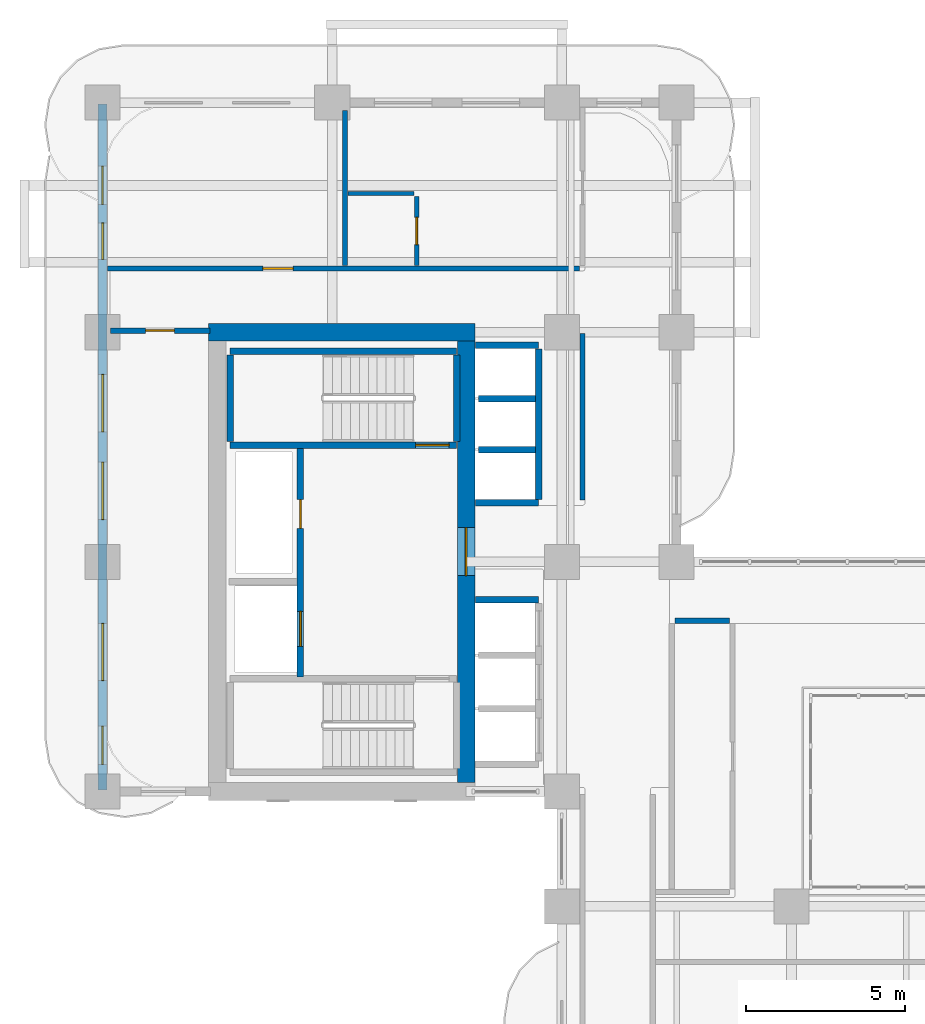
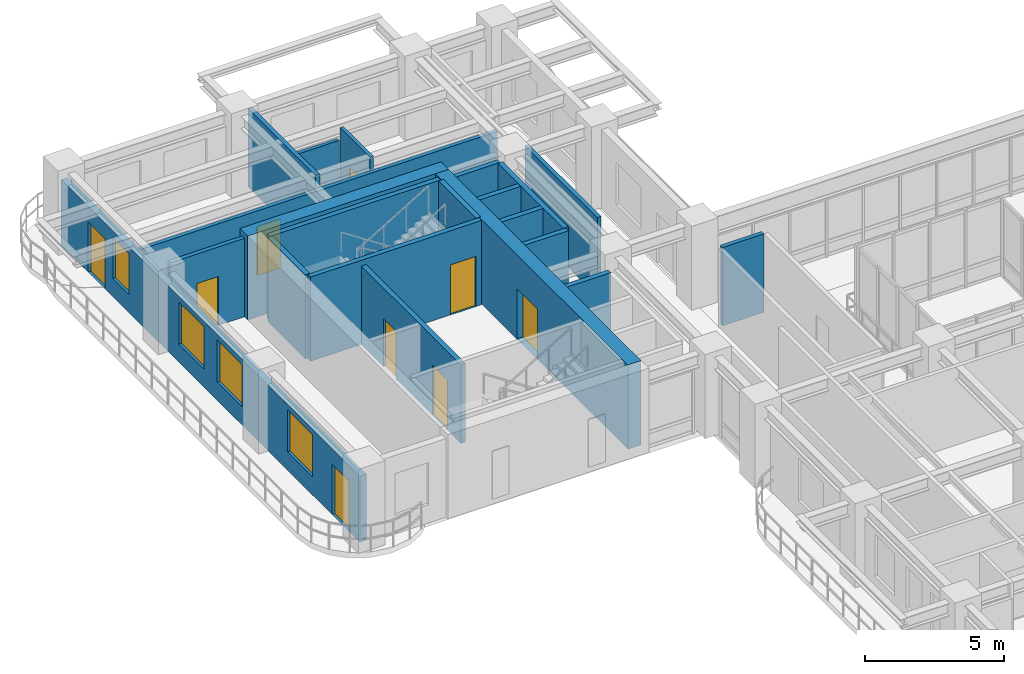
# One storey, part 16 of 22: 21 walls, 9 doors, 4 windows, 13 openings.
"""IFC4 building model written with IfcOpenShell, lengths in metres."""

from ifc_helpers import new_model, si_unit, derived_unit, direction, frame, frame_2d, origin, place, context, subcontext, project, spatial, rectangle, extrude, source, transform, mapped, material, layer, layer_set, type_object, type_shapes, element, fill, save


model = new_model("IFC4")

# Units and contexts
model_context = context("Model", 3, precision=1e-05, world=origin(), true_north=direction((0.0, 1.0)))
body_context = subcontext(model_context, "Body", "Model", "MODEL_VIEW")
ifc_project = project(units=[si_unit("LENGTHUNIT", "METRE"), si_unit("AREAUNIT", "SQUARE_METRE"), si_unit("VOLUMEUNIT", "CUBIC_METRE"), si_unit("PLANEANGLEUNIT", "RADIAN"), si_unit("MASSUNIT", "GRAM", prefix="KILO"), si_unit("THERMODYNAMICTEMPERATUREUNIT", "KELVIN"), si_unit("POWERUNIT", "WATT"), derived_unit("THERMALTRANSMITTANCEUNIT", [(si_unit("POWERUNIT", "WATT"), 1), (si_unit("AREAUNIT", "SQUARE_METRE"), -1), (si_unit("THERMODYNAMICTEMPERATUREUNIT", "KELVIN"), -1)])], contexts=[model_context])

# Site, building, storey
site_placement = place(None, origin())
site = spatial("IfcSite", under=ifc_project, at=site_placement, CompositionType="ELEMENT")
building_placement = place(site_placement, origin())
building = spatial("IfcBuilding", under=site, at=building_placement, Name="Zahravan Archway Hotel and Residences", CompositionType="ELEMENT")
storey_placement = place(building_placement, frame((0.0, 0.0, 73.10009765625)))
storey = spatial("IfcBuildingStorey", under=building, at=storey_placement, Name="L17", CompositionType="ELEMENT", Elevation=73.10009765625)

# Wall
ifc_material_1 = material(Name="Concrete C70/85", Category="concrete")
ifc_layer_1 = layer(ifc_material_1, 0.550048828125, Name="Concrete C70/85", Category="concrete")
ifc_layer_set_1 = layer_set([ifc_layer_1], Name="Concrete C70/85")
wall_type_1 = type_object("IfcWallType", Name="CW-CORE-550", PredefinedType="SHEAR", material=ifc_layer_set_1)
wall_1_placement = place(storey_placement, frame((3.324951171875, 39.60009765625, 0.0), z_axis=(0.0, 0.0, 1.0), x_axis=(1.0, 0.0, 0.0)))
element("IfcWall", 1, at=wall_1_placement, inside=storey, type_object=wall_type_1, Name="L17 Core B Shear N Wall 550 mm", PredefinedType="SHEAR", context=body_context, shape_type="SweptSolid", body=[
    extrude(rectangle(XDim=8.35009765625, YDim=0.550048828125, at=frame_2d((4.175048828125, 0.0))), origin(), (0.0, 0.0, 1.0), 3.699951171875),
])

# Wall, opening, door
wall_2_placement = place(storey_placement, frame((11.39990234375, 25.47509765625, 0.0), z_axis=(0.0, 0.0, 1.0), x_axis=(0.0, 1.0, 0.0)))
wall_2 = element("IfcWall", 2, at=wall_2_placement, inside=storey, type_object=wall_type_1, Name="L17 Core B Shear E Wall 550 mm", PredefinedType="SHEAR", context=body_context, shape_type="SweptSolid", body=[
    extrude(rectangle(XDim=13.849853515625, YDim=0.550048828125, at=frame_2d((6.9248046875, 0.0))), origin(), (0.0, 0.0, 1.0), 3.699951171875),
])
opening_1_placement = place(wall_2_placement, frame((6.4951171875, 0.0, 0.0)))
opening_1 = element("IfcOpeningElement", 3, at=opening_1_placement, cuts=wall_2, Name="Opening FD-L1", PredefinedType="OPENING", context=body_context, shape_type="SweptSolid", body=[
    extrude(rectangle(XDim=1.5, YDim=2.199951171875, at=frame_2d((0.75, 1.10009765625))), frame((0.0, 0.28515625, 0.0), z_axis=(0.0, -1.0, 0.0), x_axis=(1.0, 0.0, 0.0)), (0.0, 0.0, 1.0), 0.570068359375),
])
ifc_material_2 = material(Name="Fire-Rated Painted Steel", Category="steel")
door_type_1 = type_object("IfcDoorType", Name="FD-LOBBY-1500", OperationType="DOUBLE_DOOR_SINGLE_SWING", PredefinedType="DOOR", material=ifc_material_2)
shared_shape_1 = source(origin(), body_context, "Body", "SweptSolid", [
    extrude(rectangle(XDim=1.5, YDim=2.199951171875, at=frame_2d((0.75, 1.10009765625))), frame((0.0, 0.02490234375, 0.0), z_axis=(0.0, -1.0, 0.0), x_axis=(1.0, 0.0, 0.0)), (0.0, 0.0, 1.0), 0.050048828125),
])
type_shapes(door_type_1, [shared_shape_1])
door_1_placement = place(opening_1_placement, origin())
door_1 = element("IfcDoor", 4, at=door_1_placement, inside=storey, type_object=door_type_1, Name="L17 Core B FSAE Lobby Door", OperationType="DOUBLE_DOOR_SINGLE_SWING", OverallHeight=2.199951171875, OverallWidth=1.5, PredefinedType="DOOR", context=body_context, shape_type="MappedRepresentation", body=[
    mapped(shared_shape_1, transform((0.0, 0.0, 0.0), scale=1.0)),
])
fill(opening_1, door_1)

# Wall, openings, doors, windows
ifc_material_3 = material(Name="Honed Red-Ochre Sandstone & Insulated Block", Category="masonry")
ifc_layer_2 = layer(ifc_material_3, 0.280029296875, Name="Honed Red-Ochre Sandstone & Insulated Block", Category="masonry")
ifc_layer_set_2 = layer_set([ifc_layer_2], Name="Honed Red-Ochre Sandstone & Insulated Block")
wall_type_2 = type_object("IfcWallType", Name="EW-LOG-280", PredefinedType="SOLIDWALL", material=ifc_layer_set_2)
wall_3_placement = place(storey_placement, frame((0.0, 25.25, 0.0), z_axis=(0.0, 0.0, 1.0), x_axis=(0.0, 1.0, 0.0)))
wall_3 = element("IfcWall", 5, at=wall_3_placement, inside=storey, type_object=wall_type_2, Name="L17 Exterior Sandstone Wall WB-W", PredefinedType="SOLIDWALL", context=body_context, shape_type="SweptSolid", body=[
    extrude(rectangle(XDim=21.5, YDim=0.280029296875, at=frame_2d((10.75, 0.0))), origin(), (0.0, 0.0, 1.0), 2.885009765625),
])
opening_2_placement = place(wall_3_placement, frame((18.35693359375, 0.0, 0.0)))
opening_2 = element("IfcOpeningElement", 6, at=opening_2_placement, cuts=wall_3, Name="Opening ED-BL1", PredefinedType="OPENING", context=body_context, shape_type="SweptSolid", body=[
    extrude(rectangle(XDim=1.199951171875, YDim=2.199951171875, at=frame_2d((0.60009765625, 1.10009765625))), frame((0.0, 0.14990234375, 0.0), z_axis=(0.0, -1.0, 0.0), x_axis=(1.0, 0.0, 0.0)), (0.0, 0.0, 1.0), 0.300048828125),
])
opening_3_placement = place(wall_3_placement, frame((0.800048828125, 0.0, 0.0)))
opening_3 = element("IfcOpeningElement", 7, at=opening_3_placement, cuts=wall_3, Name="Opening ED-BL1", PredefinedType="OPENING", context=body_context, shape_type="SweptSolid", body=[
    extrude(rectangle(XDim=1.199951171875, YDim=2.199951171875, at=frame_2d((0.60009765625, 1.10009765625))), frame((0.0, 0.14990234375, 0.0), z_axis=(0.0, -1.0, 0.0), x_axis=(1.0, 0.0, 0.0)), (0.0, 0.0, 1.0), 0.300048828125),
])
opening_4_placement = place(wall_3_placement, frame((3.425048828125, 0.0, 0.800048828125)))
opening_4 = element("IfcOpeningElement", 8, at=opening_4_placement, cuts=wall_3, Name="Opening W-02", PredefinedType="OPENING", context=body_context, shape_type="SweptSolid", body=[
    extrude(rectangle(XDim=1.800048828125, YDim=1.85009765625, at=frame_2d((0.89990234375, 0.925048828125))), frame((0.0, 0.14990234375, 0.0), z_axis=(0.0, -1.0, 0.0), x_axis=(1.0, 0.0, 0.0)), (0.0, 0.0, 1.0), 0.300048828125),
])
opening_5_placement = place(wall_3_placement, frame((8.47509765625, 0.0, 0.800048828125)))
opening_5 = element("IfcOpeningElement", 9, at=opening_5_placement, cuts=wall_3, Name="Opening W-02", PredefinedType="OPENING", context=body_context, shape_type="SweptSolid", body=[
    extrude(rectangle(XDim=1.800048828125, YDim=1.85009765625, at=frame_2d((0.89990234375, 0.925048828125))), frame((0.0, 0.14990234375, 0.0), z_axis=(0.0, -1.0, 0.0), x_axis=(1.0, 0.0, 0.0)), (0.0, 0.0, 1.0), 0.300048828125),
])
opening_6_placement = place(wall_3_placement, frame((11.22509765625, 0.0, 0.800048828125)))
opening_6 = element("IfcOpeningElement", 10, at=opening_6_placement, cuts=wall_3, Name="Opening W-02", PredefinedType="OPENING", context=body_context, shape_type="SweptSolid", body=[
    extrude(rectangle(XDim=1.800048828125, YDim=1.85009765625, at=frame_2d((0.89990234375, 0.925048828125))), frame((0.0, 0.14990234375, 0.0), z_axis=(0.0, -1.0, 0.0), x_axis=(1.0, 0.0, 0.0)), (0.0, 0.0, 1.0), 0.300048828125),
])
opening_7_placement = place(wall_3_placement, frame((16.632080078125, 0.0, 0.800048828125)))
opening_7 = element("IfcOpeningElement", 11, at=opening_7_placement, cuts=wall_3, Name="Opening W-05", PredefinedType="OPENING", context=body_context, shape_type="SweptSolid", body=[
    extrude(rectangle(XDim=1.14990234375, YDim=1.800048828125, at=frame_2d((0.574951171875, 0.89990234375))), frame((0.0, 0.14990234375, 0.0), z_axis=(0.0, -1.0, 0.0), x_axis=(1.0, 0.0, 0.0)), (0.0, 0.0, 1.0), 0.300048828125),
])
ifc_material_4 = material(Name="Bronze-Anodized Glazed Aluminium", Category="aluminium")
door_type_2 = type_object("IfcDoorType", Name="ED-BALC-1200", OperationType="SLIDING_TO_LEFT", PredefinedType="DOOR", material=ifc_material_4)
shared_shape_2 = source(origin(), body_context, "Body", "SweptSolid", [
    extrude(rectangle(XDim=1.199951171875, YDim=2.199951171875, at=frame_2d((0.60009765625, 1.10009765625))), frame((0.0, 0.02490234375, 0.0), z_axis=(0.0, -1.0, 0.0), x_axis=(1.0, 0.0, 0.0)), (0.0, 0.0, 1.0), 0.050048828125),
])
type_shapes(door_type_2, [shared_shape_2])
door_2_placement = place(opening_2_placement, origin())
door_2 = element("IfcDoor", 12, at=door_2_placement, inside=storey, type_object=door_type_2, Name="L17 Outdoor Access Sliding Door (SLB-BAL-L17-NB)", OperationType="SLIDING_TO_LEFT", OverallHeight=2.199951171875, OverallWidth=1.199951171875, PredefinedType="DOOR", context=body_context, shape_type="MappedRepresentation", body=[
    mapped(shared_shape_2, transform((0.0, 0.0, 0.0), scale=1.0)),
])
fill(opening_2, door_2)
door_3_placement = place(opening_3_placement, origin())
door_3 = element("IfcDoor", 13, at=door_3_placement, inside=storey, type_object=door_type_2, Name="L17 Outdoor Access Sliding Door (SLB-BAL-L17-WB)", OperationType="SLIDING_TO_LEFT", OverallHeight=2.199951171875, OverallWidth=1.199951171875, PredefinedType="DOOR", context=body_context, shape_type="MappedRepresentation", body=[
    mapped(shared_shape_2, transform((0.0, 0.0, 0.0), scale=1.0)),
])
fill(opening_3, door_3)
ifc_material_5 = material(Name="Bronze-Anodized Thermal-Break Aluminium & Low-E Glass", Category="aluminium")
window_type_1 = type_object("IfcWindowType", Name="WIN-TWR-1800", PartitioningType="DOUBLE_PANEL_VERTICAL", PredefinedType="WINDOW", material=ifc_material_5)
shared_shape_3 = source(origin(), body_context, "Body", "SweptSolid", [
    extrude(rectangle(XDim=1.800048828125, YDim=1.85009765625, at=frame_2d((0.89990234375, 0.925048828125))), frame((0.0, 0.030029296875, 0.0), z_axis=(0.0, -1.0, 0.0), x_axis=(1.0, 0.0, 0.0)), (0.0, 0.0, 1.0), 0.06005859375),
])
type_shapes(window_type_1, [shared_shape_3])
window_1_placement = place(opening_4_placement, origin())
window_1 = element("IfcWindow", 14, at=window_1_placement, inside=storey, type_object=window_type_1, Name="L17 Loggia Window 30", OverallHeight=1.85009765625, OverallWidth=1.800048828125, PartitioningType="DOUBLE_PANEL_VERTICAL", PredefinedType="WINDOW", context=body_context, shape_type="MappedRepresentation", body=[
    mapped(shared_shape_3, transform((0.0, 0.0, 0.0), scale=1.0)),
])
fill(opening_4, window_1)
window_2_placement = place(opening_5_placement, origin())
window_2 = element("IfcWindow", 15, at=window_2_placement, inside=storey, type_object=window_type_1, Name="L17 Loggia Window 31", OverallHeight=1.85009765625, OverallWidth=1.800048828125, PartitioningType="DOUBLE_PANEL_VERTICAL", PredefinedType="WINDOW", context=body_context, shape_type="MappedRepresentation", body=[
    mapped(shared_shape_3, transform((0.0, 0.0, 0.0), scale=1.0)),
])
fill(opening_5, window_2)
window_3_placement = place(opening_6_placement, origin())
window_3 = element("IfcWindow", 16, at=window_3_placement, inside=storey, type_object=window_type_1, Name="L17 Loggia Window 32", OverallHeight=1.85009765625, OverallWidth=1.800048828125, PartitioningType="DOUBLE_PANEL_VERTICAL", PredefinedType="WINDOW", context=body_context, shape_type="MappedRepresentation", body=[
    mapped(shared_shape_3, transform((0.0, 0.0, 0.0), scale=1.0)),
])
fill(opening_6, window_3)
window_type_2 = type_object("IfcWindowType", Name="WIN-TWR-1150", PartitioningType="SINGLE_PANEL", PredefinedType="WINDOW", material=ifc_material_5)
shared_shape_4 = source(origin(), body_context, "Body", "SweptSolid", [
    extrude(rectangle(XDim=1.14990234375, YDim=1.800048828125, at=frame_2d((0.574951171875, 0.89990234375))), frame((0.0, 0.030029296875, 0.0), z_axis=(0.0, -1.0, 0.0), x_axis=(1.0, 0.0, 0.0)), (0.0, 0.0, 1.0), 0.06005859375),
])
type_shapes(window_type_2, [shared_shape_4])
window_4_placement = place(opening_7_placement, origin())
window_4 = element("IfcWindow", 17, at=window_4_placement, inside=storey, type_object=window_type_2, Name="L17 Loggia Window 33", OverallHeight=1.800048828125, OverallWidth=1.14990234375, PartitioningType="SINGLE_PANEL", PredefinedType="WINDOW", context=body_context, shape_type="MappedRepresentation", body=[
    mapped(shared_shape_4, transform((0.0, 0.0, 0.0), scale=1.0)),
])
fill(opening_7, window_4)

# Wall
ifc_material_6 = material(Name="Fire-Rated Gypsum & Concrete Block", Category="concrete")
ifc_layer_3 = layer(ifc_material_6, 0.159912109375, Name="Fire-Rated Gypsum & Concrete Block", Category="concrete")
ifc_layer_set_3 = layer_set([ifc_layer_3], Name="Fire-Rated Gypsum & Concrete Block")
wall_type_3 = type_object("IfcWallType", Name="PW-CORR-160", PredefinedType="PARTITIONING", material=ifc_layer_set_3)
wall_4_placement = place(storey_placement, frame((15.050048828125, 34.340087890625, 0.0), z_axis=(0.0, 0.0, 1.0), x_axis=(0.0, 1.0, 0.0)))
element("IfcWall", 18, at=wall_4_placement, inside=storey, type_object=wall_type_3, Name="L17 Partition WBN-CL", PredefinedType="PARTITIONING", context=body_context, shape_type="SweptSolid", body=[
    extrude(rectangle(XDim=5.219970703125, YDim=0.159912109375, at=frame_2d((2.60986328125, 0.0))), origin(), (0.0, 0.0, 1.0), 3.449951171875),
])

# Wall, opening, door
wall_5_placement = place(storey_placement, frame((0.14794921875, 41.60009765625, 0.0), z_axis=(0.0, 0.0, 1.0), x_axis=(1.0, 0.0, 0.0)))
wall_5 = element("IfcWall", 19, at=wall_5_placement, inside=storey, type_object=wall_type_3, Name="L17 Partition WBN-S2", PredefinedType="PARTITIONING", context=body_context, shape_type="SweptSolid", body=[
    extrude(rectangle(XDim=14.81201171875, YDim=0.159912109375, at=frame_2d((7.406005859375, 0.0))), origin(), (0.0, 0.0, 1.0), 2.885009765625),
])
opening_8_placement = place(wall_5_placement, frame((4.876953125, 0.0, 0.0)))
opening_8 = element("IfcOpeningElement", 20, at=opening_8_placement, cuts=wall_5, Name="Opening D-I1", PredefinedType="OPENING", context=body_context, shape_type="SweptSolid", body=[
    extrude(rectangle(XDim=0.949951171875, YDim=2.14990234375, at=frame_2d((0.47509765625, 1.074951171875))), frame((0.0, 0.08984375, 0.0), z_axis=(0.0, -1.0, 0.0), x_axis=(1.0, 0.0, 0.0)), (0.0, 0.0, 1.0), 0.179931640625),
])
ifc_material_7 = material(Name="Hardwood Veneer Timber", Category="wood")
door_type_3 = type_object("IfcDoorType", Name="ID-INT-950", OperationType="NOTDEFINED", PredefinedType="DOOR", material=ifc_material_7)
shared_shape_5 = source(origin(), body_context, "Body", "SweptSolid", [
    extrude(rectangle(XDim=0.949951171875, YDim=2.14990234375, at=frame_2d((0.47509765625, 1.074951171875))), frame((0.0, 0.02490234375, 0.0), z_axis=(0.0, -1.0, 0.0), x_axis=(1.0, 0.0, 0.0)), (0.0, 0.0, 1.0), 0.050048828125),
])
type_shapes(door_type_3, [shared_shape_5])
door_4_placement = place(opening_8_placement, origin())
door_4 = element("IfcDoor", 21, at=door_4_placement, inside=storey, type_object=door_type_3, Name="L17 North West Study Door", OperationType="SINGLE_SWING_LEFT", OverallHeight=2.14990234375, OverallWidth=0.949951171875, PredefinedType="DOOR", context=body_context, shape_type="MappedRepresentation", body=[
    mapped(shared_shape_5, transform((0.0, 0.0, 0.0), scale=1.0)),
])
fill(opening_8, door_4)

# Wall, openings, doors
ifc_layer_4 = layer(ifc_material_6, 0.199951171875, Name="Fire-Rated Gypsum & Concrete Block", Category="concrete")
ifc_layer_set_4 = layer_set([ifc_layer_4], Name="Fire-Rated Gypsum & Concrete Block")
wall_type_4 = type_object("IfcWallType", Name="PW-SHAFT-200", PredefinedType="PARTITIONING", material=ifc_layer_set_4)
wall_6_placement = place(storey_placement, frame((6.199951171875, 28.7900390625, 0.0), z_axis=(0.0, 0.0, 1.0), x_axis=(0.0, 1.0, 0.0)))
wall_6 = element("IfcWall", 22, at=wall_6_placement, inside=storey, type_object=wall_type_4, Name="L17 Partition CB-FL3E", PredefinedType="PARTITIONING", context=body_context, shape_type="SweptSolid", body=[
    extrude(rectangle(XDim=7.219970703125, YDim=0.199951171875, at=frame_2d((3.60986328125, 0.0))), origin(), (0.0, 0.0, 1.0), 3.449951171875),
])
opening_9_placement = place(wall_6_placement, frame((4.659912109375, 0.0, 0.0)))
opening_9 = element("IfcOpeningElement", 23, at=opening_9_placement, cuts=wall_6, Name="Opening FD-R1", PredefinedType="OPENING", context=body_context, shape_type="SweptSolid", body=[
    extrude(rectangle(XDim=0.89990234375, YDim=2.10009765625, at=frame_2d((0.449951171875, 1.050048828125))), frame((0.0, 0.10986328125, 0.0), z_axis=(0.0, -1.0, 0.0), x_axis=(1.0, 0.0, 0.0)), (0.0, 0.0, 1.0), 0.219970703125),
])
opening_10_placement = place(wall_6_placement, frame((0.9599609375, 0.0, 0.0)))
opening_10 = element("IfcOpeningElement", 24, at=opening_10_placement, cuts=wall_6, Name="Opening LD", PredefinedType="OPENING", context=body_context, shape_type="SweptSolid", body=[
    extrude(rectangle(XDim=1.10009765625, YDim=2.199951171875, at=frame_2d((0.550048828125, 1.10009765625))), frame((0.0, 0.10986328125, 0.0), z_axis=(0.0, -1.0, 0.0), x_axis=(1.0, 0.0, 0.0)), (0.0, 0.0, 1.0), 0.219970703125),
])
door_type_4 = type_object("IfcDoorType", Name="FD-RISER-900", OperationType="NOTDEFINED", PredefinedType="DOOR", material=ifc_material_2)
shared_shape_6 = source(origin(), body_context, "Body", "SweptSolid", [
    extrude(rectangle(XDim=0.89990234375, YDim=2.10009765625, at=frame_2d((0.449951171875, 1.050048828125))), frame((0.0, 0.02490234375, 0.0), z_axis=(0.0, -1.0, 0.0), x_axis=(1.0, 0.0, 0.0)), (0.0, 0.0, 1.0), 0.050048828125),
])
type_shapes(door_type_4, [shared_shape_6])
door_5_placement = place(opening_9_placement, origin())
door_5 = element("IfcDoor", 25, at=door_5_placement, inside=storey, type_object=door_type_4, Name="L17 Core B Riser Door", OperationType="SINGLE_SWING_RIGHT", OverallHeight=2.10009765625, OverallWidth=0.89990234375, PredefinedType="DOOR", context=body_context, shape_type="MappedRepresentation", body=[
    mapped(shared_shape_6, transform((0.0, 0.0, 0.0), scale=1.0)),
])
fill(opening_9, door_5)
ifc_material_8 = material(Name="Brushed Stainless Steel", Category="steel")
door_type_5 = type_object("IfcDoorType", Name="DR-LIFT-LD", OperationType="SLIDING_TO_LEFT", PredefinedType="DOOR", material=ifc_material_8)
shared_shape_7 = source(origin(), body_context, "Body", "SweptSolid", [
    extrude(rectangle(XDim=1.10009765625, YDim=2.199951171875, at=frame_2d((0.550048828125, 1.10009765625))), frame((0.0, 0.02490234375, 0.0), z_axis=(0.0, -1.0, 0.0), x_axis=(1.0, 0.0, 0.0)), (0.0, 0.0, 1.0), 0.050048828125),
])
type_shapes(door_type_5, [shared_shape_7])
door_6_placement = place(opening_10_placement, origin())
door_6 = element("IfcDoor", 26, at=door_6_placement, inside=storey, type_object=door_type_5, Name="L17 Lift FL-3 Sliding Landing Door", OperationType="SLIDING_TO_LEFT", OverallHeight=2.199951171875, OverallWidth=1.10009765625, PredefinedType="DOOR", context=body_context, shape_type="MappedRepresentation", body=[
    mapped(shared_shape_7, transform((0.0, 0.0, 0.0), scale=1.0)),
])
fill(opening_10, door_6)

# Walls
for number, where, z_axis, x_axis, name in (
    (27, (11.68505859375, 31.2099609375, 0.0), (0.0, 0.0, 1.0), (1.0, 0.0, 0.0), "L17 Partition B1-N"),
    (28, (11.68505859375, 34.25, 0.0), (0.0, 0.0, 1.0), (1.0, 0.0, 0.0), "L17 Partition B2-S"),
    (29, (11.68505859375, 39.18994140625, 0.0), (0.0, 0.0, 1.0), (1.0, 0.0, 0.0), "L17 Partition B2-N"),
):
    element("IfcWall", number, at=place(storey_placement, frame(where, z_axis=z_axis, x_axis=x_axis)), inside=storey, type_object=wall_type_4, Name=name, PredefinedType="PARTITIONING", context=body_context, shape_type="SweptSolid", body=[
        extrude(rectangle(XDim=1.98486328125, YDim=0.199951171875, at=frame_2d((0.992431640625, 0.0))), origin(), (0.0, 0.0, 1.0), 3.449951171875),
    ])
wall_7_placement = place(storey_placement, frame((13.679931640625, 34.360107421875, 0.0), z_axis=(0.0, 0.0, 1.0), x_axis=(0.0, 1.0, 0.0)))
element("IfcWall", 30, at=wall_7_placement, inside=storey, type_object=wall_type_4, Name="L17 Partition B2-E", PredefinedType="PARTITIONING", context=body_context, shape_type="SweptSolid", body=[
    extrude(rectangle(XDim=4.719970703125, YDim=0.199951171875, at=frame_2d((2.35986328125, 0.0))), origin(), (0.0, 0.0, 1.0), 3.449951171875),
])
for number, where, z_axis, x_axis, name in (
    (31, (11.784912109375, 35.919921875, 0.0), (0.0, 0.0, 1.0), (1.0, 0.0, 0.0), "L17 Partition B2-D"),
    (32, (11.784912109375, 37.52001953125, 0.0), (0.0, 0.0, 1.0), (1.0, 0.0, 0.0), "L17 Partition B2-D"),
):
    element("IfcWall", number, at=place(storey_placement, frame(where, z_axis=z_axis, x_axis=x_axis)), inside=storey, type_object=wall_type_4, Name=name, PredefinedType="PARTITIONING", context=body_context, shape_type="SweptSolid", body=[
        extrude(rectangle(XDim=1.78515625, YDim=0.199951171875, at=frame_2d((0.892578125, 0.0))), origin(), (0.0, 0.0, 1.0), 3.449951171875),
    ])

# Wall, opening, door
ifc_material_9 = material(Name="Acoustic Stud Partition")
ifc_layer_5 = layer(ifc_material_9, 0.169921875, Name="Acoustic Stud Partition")
ifc_layer_set_5 = layer_set([ifc_layer_5], Name="Acoustic Stud Partition")
wall_type_5 = type_object("IfcWallType", Name="PW-UNIT-170", PredefinedType="PARTITIONING", material=ifc_layer_set_5)
wall_8_placement = place(storey_placement, frame((0.239990234375, 39.64990234375, 0.0), z_axis=(0.0, 0.0, 1.0), x_axis=(1.0, 0.0, 0.0)))
wall_8 = element("IfcWall", 33, at=wall_8_placement, inside=storey, type_object=wall_type_5, Name="L17 Partition WBW-N", PredefinedType="PARTITIONING", context=body_context, shape_type="SweptSolid", body=[
    extrude(rectangle(XDim=3.1201171875, YDim=0.169921875, at=frame_2d((1.56005859375, 0.0))), origin(), (0.0, 0.0, 1.0), 3.449951171875),
])
opening_11_placement = place(wall_8_placement, frame((1.110107421875, 0.0, 0.0)))
opening_11 = element("IfcOpeningElement", 34, at=opening_11_placement, cuts=wall_8, Name="Opening D-I2", PredefinedType="OPENING", context=body_context, shape_type="SweptSolid", body=[
    extrude(rectangle(XDim=0.89990234375, YDim=2.14990234375, at=frame_2d((0.449951171875, 1.074951171875))), frame((0.0, 0.094970703125, 0.0), z_axis=(0.0, -1.0, 0.0), x_axis=(1.0, 0.0, 0.0)), (0.0, 0.0, 1.0), 0.18994140625),
])
door_type_6 = type_object("IfcDoorType", Name="ID-INT-900", OperationType="NOTDEFINED", PredefinedType="DOOR", material=ifc_material_7)
shared_shape_8 = source(origin(), body_context, "Body", "SweptSolid", [
    extrude(rectangle(XDim=0.89990234375, YDim=2.14990234375, at=frame_2d((0.449951171875, 1.074951171875))), frame((0.0, 0.02490234375, 0.0), z_axis=(0.0, -1.0, 0.0), x_axis=(1.0, 0.0, 0.0)), (0.0, 0.0, 1.0), 0.050048828125),
])
type_shapes(door_type_6, [shared_shape_8])
door_7_placement = place(opening_11_placement, origin())
door_7 = element("IfcDoor", 35, at=door_7_placement, inside=storey, type_object=door_type_6, Name="L17 West Loggia Salon Door", OperationType="SINGLE_SWING_RIGHT", OverallHeight=2.14990234375, OverallWidth=0.89990234375, PredefinedType="DOOR", context=body_context, shape_type="MappedRepresentation", body=[
    mapped(shared_shape_8, transform((0.0, 0.0, 0.0), scale=1.0)),
])
fill(opening_11, door_7)

# Walls
wall_9_placement = place(storey_placement, frame((7.60009765625, 41.68994140625, 0.0), z_axis=(0.0, 0.0, 1.0), x_axis=(0.0, 1.0, 0.0)))
element("IfcWall", 36, at=wall_9_placement, inside=storey, type_object=wall_type_5, Name="L17 Partition WBN-V2", PredefinedType="PARTITIONING", context=body_context, shape_type="SweptSolid", body=[
    extrude(rectangle(XDim=4.8701171875, YDim=0.169921875, at=frame_2d((2.43505859375, 0.0))), origin(), (0.0, 0.0, 1.0), 3.449951171875),
])
wall_10_placement = place(storey_placement, frame((17.93994140625, 30.550048828125, 0.0), z_axis=(0.0, 0.0, 1.0), x_axis=(1.0, 0.0, 0.0)))
element("IfcWall", 37, at=wall_10_placement, inside=storey, type_object=wall_type_5, Name="L17 Partition ATR-WLN", PredefinedType="PARTITIONING", context=body_context, shape_type="SweptSolid", body=[
    extrude(rectangle(XDim=1.719970703125, YDim=0.169921875, at=frame_2d((0.85986328125, 0.0))), origin(), (0.0, 0.0, 1.0), 3.449951171875),
])
ifc_material_10 = material(Name="Moisture-Resistant Blockwork", Category="masonry")
ifc_layer_6 = layer(ifc_material_10, 0.139892578125, Name="Moisture-Resistant Blockwork", Category="masonry")
ifc_layer_set_6 = layer_set([ifc_layer_6], Name="Moisture-Resistant Blockwork")
wall_type_6 = type_object("IfcWallType", Name="PW-WET-140", PredefinedType="PARTITIONING", material=ifc_layer_set_6)
wall_11_placement = place(storey_placement, frame((7.68994140625, 43.949951171875, 0.0), z_axis=(0.0, 0.0, 1.0), x_axis=(1.0, 0.0, 0.0)))
element("IfcWall", 38, at=wall_11_placement, inside=storey, type_object=wall_type_6, Name="L17 Partition HKB-H78", PredefinedType="PARTITIONING", context=body_context, shape_type="SweptSolid", body=[
    extrude(rectangle(XDim=2.070068359375, YDim=0.139892578125, at=frame_2d((1.03515625, 0.0))), origin(), (0.0, 0.0, 1.0), 2.885009765625),
])

# Wall, opening, door
wall_12_placement = place(storey_placement, frame((9.85009765625, 41.68994140625, 0.0), z_axis=(0.0, 0.0, 1.0), x_axis=(0.0, 1.0, 0.0)))
wall_12 = element("IfcWall", 39, at=wall_12_placement, inside=storey, type_object=wall_type_6, Name="L17 Partition HKB-V78", PredefinedType="PARTITIONING", context=body_context, shape_type="SweptSolid", body=[
    extrude(rectangle(XDim=2.170166015625, YDim=0.139892578125, at=frame_2d((1.0849609375, 0.0))), origin(), (0.0, 0.0, 1.0), 3.449951171875),
])
opening_12_placement = place(wall_12_placement, frame((0.659912109375, 0.0, 0.0)))
opening_12 = element("IfcOpeningElement", 40, at=opening_12_placement, cuts=wall_12, Name="Opening D-B1", PredefinedType="OPENING", context=body_context, shape_type="SweptSolid", body=[
    extrude(rectangle(XDim=0.85009765625, YDim=2.10009765625, at=frame_2d((0.425048828125, 1.050048828125))), frame((0.0, 0.080078125, 0.0), z_axis=(0.0, -1.0, 0.0), x_axis=(1.0, 0.0, 0.0)), (0.0, 0.0, 1.0), 0.159912109375),
])
door_type_7 = type_object("IfcDoorType", Name="ID-BATH-850", OperationType="NOTDEFINED", PredefinedType="DOOR", material=ifc_material_7)
shared_shape_9 = source(origin(), body_context, "Body", "SweptSolid", [
    extrude(rectangle(XDim=0.85009765625, YDim=2.10009765625, at=frame_2d((0.425048828125, 1.050048828125))), frame((0.0, 0.02490234375, 0.0), z_axis=(0.0, -1.0, 0.0), x_axis=(1.0, 0.0, 0.0)), (0.0, 0.0, 1.0), 0.050048828125),
])
type_shapes(door_type_7, [shared_shape_9])
door_8_placement = place(opening_12_placement, origin())
door_8 = element("IfcDoor", 41, at=door_8_placement, inside=storey, type_object=door_type_7, Name="L17 Guestroom 78 En-Suite Door", OperationType="SINGLE_SWING_RIGHT", OverallHeight=2.10009765625, OverallWidth=0.85009765625, PredefinedType="DOOR", context=body_context, shape_type="MappedRepresentation", body=[
    mapped(shared_shape_9, transform((0.0, 0.0, 0.0), scale=1.0)),
])
fill(opening_12, door_8)

# Walls
ifc_material_11 = material(Name="Concrete C50/60", Category="concrete")
ifc_layer_7 = layer(ifc_material_11, 0.199951171875, Name="Concrete C50/60", Category="concrete")
ifc_layer_set_7 = layer_set([ifc_layer_7], Name="Concrete C50/60")
wall_type_7 = type_object("IfcWallType", Name="SW-STAIR-200", PredefinedType="SHEAR", material=ifc_layer_set_7)
wall_13_placement = place(storey_placement, frame((4.0, 39.0, 0.0), z_axis=(0.0, 0.0, 1.0), x_axis=(1.0, 0.0, 0.0)))
element("IfcWall", 42, at=wall_13_placement, inside=storey, type_object=wall_type_7, Name="L17 Stairwell RC Wall CB-SB2N", PredefinedType="SHEAR", context=body_context, shape_type="SweptSolid", body=[
    extrude(rectangle(XDim=7.10009765625, YDim=0.199951171875, at=frame_2d((3.550048828125, 0.0))), origin(), (0.0, 0.0, 1.0), 3.699951171875),
])
for number, where, z_axis, x_axis, name in (
    (43, (4.0, 36.179931640625, 0.0), (0.0, 0.0, 1.0), (0.0, 1.0, 0.0), "L17 Stairwell RC Wall CB-SB2W"),
    (44, (11.10009765625, 36.179931640625, 0.0), (0.0, 0.0, 1.0), (0.0, 1.0, 0.0), "L17 Stairwell RC Wall CB-SB2E"),
):
    element("IfcWall", number, at=place(storey_placement, frame(where, z_axis=z_axis, x_axis=x_axis)), inside=storey, type_object=wall_type_7, Name=name, PredefinedType="SHEAR", context=body_context, shape_type="SweptSolid", body=[
        extrude(rectangle(XDim=2.699951171875, YDim=0.199951171875, at=frame_2d((1.35009765625, 0.0))), origin(), (0.0, 0.0, 1.0), 3.699951171875),
    ])

# Wall, opening, door
wall_14_placement = place(storey_placement, frame((4.0, 36.06005859375, 0.0), z_axis=(0.0, 0.0, 1.0), x_axis=(1.0, 0.0, 0.0)))
wall_14 = element("IfcWall", 45, at=wall_14_placement, inside=storey, type_object=wall_type_7, Name="L17 Stairwell RC Wall CB-SB2S", PredefinedType="SHEAR", context=body_context, shape_type="SweptSolid", body=[
    extrude(rectangle(XDim=7.10009765625, YDim=0.199951171875, at=frame_2d((3.550048828125, 0.0))), origin(), (0.0, 0.0, 1.0), 3.699951171875),
])
opening_13_placement = place(wall_14_placement, frame((5.81494140625, 0.0, 0.0)))
opening_13 = element("IfcOpeningElement", 46, at=opening_13_placement, cuts=wall_14, Name="Opening FD-S1", PredefinedType="OPENING", context=body_context, shape_type="SweptSolid", body=[
    extrude(rectangle(XDim=1.050048828125, YDim=2.199951171875, at=frame_2d((0.52490234375, 1.10009765625))), frame((0.0, 0.10986328125, 0.0), z_axis=(0.0, -1.0, 0.0), x_axis=(1.0, 0.0, 0.0)), (0.0, 0.0, 1.0), 0.219970703125),
])
door_type_8 = type_object("IfcDoorType", Name="FD-STAIR-1100", OperationType="NOTDEFINED", PredefinedType="DOOR", material=ifc_material_2)
shared_shape_10 = source(origin(), body_context, "Body", "SweptSolid", [
    extrude(rectangle(XDim=1.050048828125, YDim=2.199951171875, at=frame_2d((0.52490234375, 1.10009765625))), frame((0.0, 0.02490234375, 0.0), z_axis=(0.0, -1.0, 0.0), x_axis=(1.0, 0.0, 0.0)), (0.0, 0.0, 1.0), 0.050048828125),
])
type_shapes(door_type_8, [shared_shape_10])
door_9_placement = place(opening_13_placement, origin())
door_9 = element("IfcDoor", 47, at=door_9_placement, inside=storey, type_object=door_type_8, Name="L17 Stair ST-B2 Door", OperationType="SINGLE_SWING_LEFT", OverallHeight=2.199951171875, OverallWidth=1.050048828125, PredefinedType="DOOR", context=body_context, shape_type="MappedRepresentation", body=[
    mapped(shared_shape_10, transform((0.0, 0.0, 0.0), scale=1.0)),
])
fill(opening_13, door_9)

save(model, "model.ifc")
